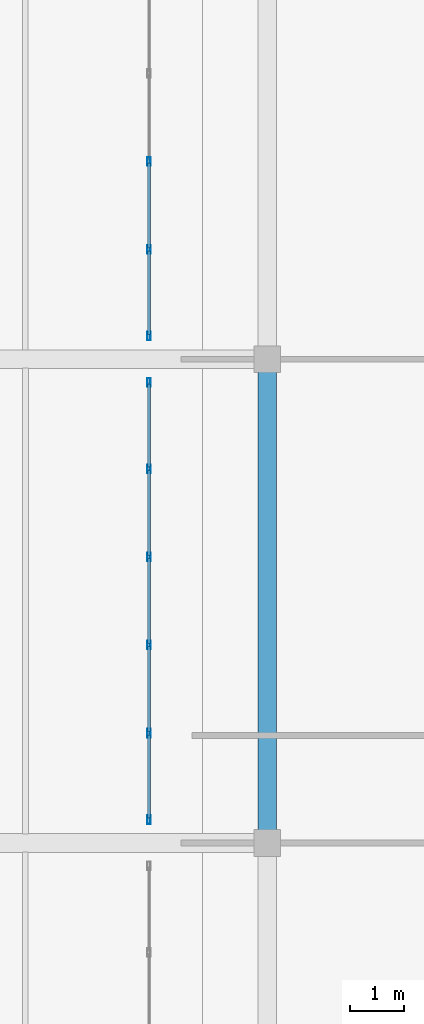
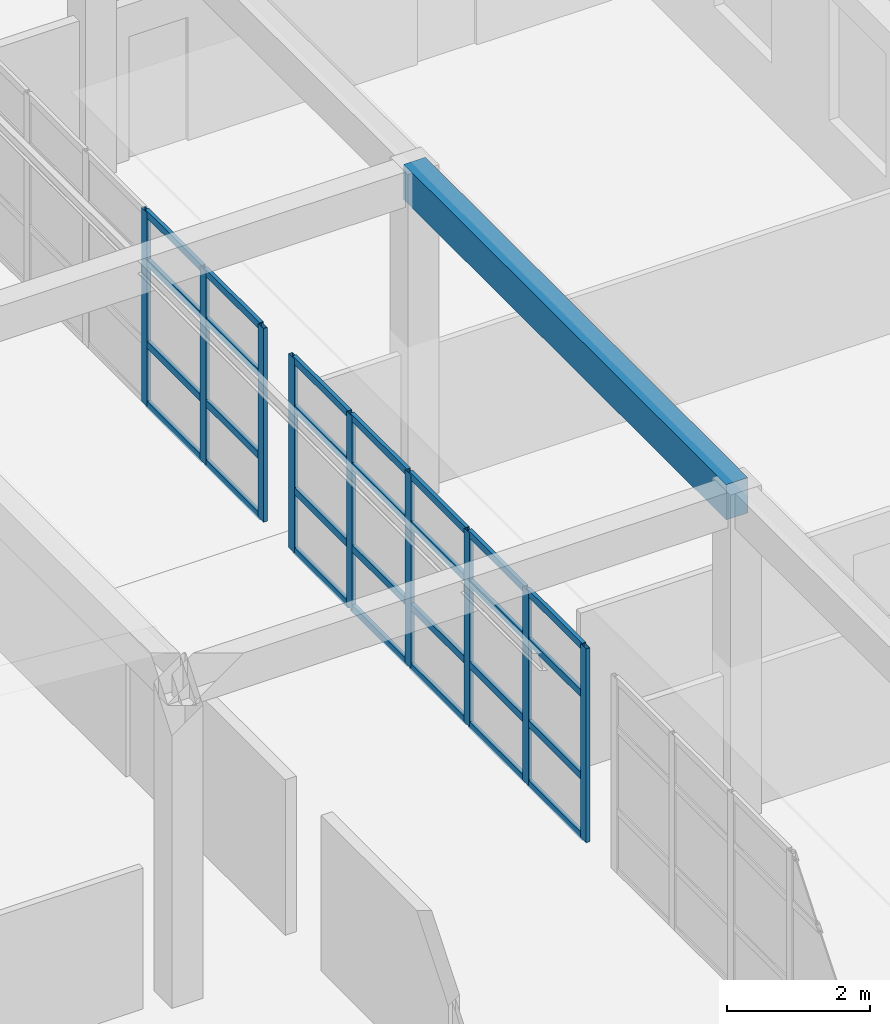
# One storey, part 42 of 156: 37 members, 1 beam, 2 elements without a shape of their own.
"""IFC4 building model written with IfcOpenShell, lengths in metres."""

from ifc_helpers import new_model, si_unit, direction, frame, origin, origin_2d, place, context, subcontext, project, spatial, rectangle, hollow_rectangle, extrude, material, layer, layer_set, material_profile, profile_set, type_object, element, aggregate, save


model = new_model("IFC4")

# Units and contexts
model_context = context("Model", 3, precision=1e-05, world=origin(), true_north=direction((0.0, 1.0)))
body_context = subcontext(model_context, "Body", "Model", "MODEL_VIEW")
ifc_project = project(units=[si_unit("LENGTHUNIT", "METRE"), si_unit("AREAUNIT", "SQUARE_METRE"), si_unit("VOLUMEUNIT", "CUBIC_METRE"), si_unit("PLANEANGLEUNIT", "RADIAN"), si_unit("MASSUNIT", "GRAM", prefix="KILO")], contexts=[model_context])

# Site, building, storey
site_placement = place(None, origin())
site = spatial("IfcSite", under=ifc_project, at=site_placement, CompositionType="ELEMENT")
building_placement = place(site_placement, origin())
building = spatial("IfcBuilding", under=site, at=building_placement, Name="Ornek Quay Market", CompositionType="ELEMENT")
storey_placement = place(building_placement, frame((0.0, 0.0, 4.5)))
storey = spatial("IfcBuildingStorey", under=building, at=storey_placement, Name="L01", CompositionType="ELEMENT", Elevation=4.5)

# Beam
ifc_material_1 = material(Name="Concrete C35/45", Category="concrete")
ifc_material_profile_1 = material_profile(ifc_material_1, rectangle(XDim=0.35009765625, YDim=0.60009765625, at=origin_2d()), Name="RC 350x600", Category="concrete")
ifc_profile_set_1 = profile_set([ifc_material_profile_1], Name="Concrete C35/45")
beam_type = type_object("IfcBeamType", Name="BM-RF-350x600", PredefinedType="BEAM", material=ifc_profile_set_1)
beam_placement = place(storey_placement, frame((18.0, 74.0, 5.2900390625), z_axis=(0.0, 1.0, 0.0), x_axis=(-1.0, 0.0, 0.0)))
element("IfcBeam", 1, at=beam_placement, inside=storey, type_object=beam_type, Name="Primary beam B-RF1-019", PredefinedType="BEAM", context=body_context, shape_type="SweptSolid", body=[
    extrude(rectangle(XDim=0.35009765625, YDim=0.60009765625, at=origin_2d()), origin(), (0.0, 0.0, 1.0), 9.0),
])

# Curtain wall, members
ifc_material_2 = material(Name="Anodised bronze aluminium and triple low-e glass", Category="aluminium")
ifc_layer = layer(ifc_material_2, 0.179931640625, Name="Anodised bronze aluminium and triple low-e glass", Category="aluminium")
ifc_layer_set = layer_set([ifc_layer], Name="Anodised bronze aluminium and triple low-e glass")
curtain_wall_type = type_object("IfcCurtainWallType", Name="CW-CONC-MOD1500", PredefinedType="USERDEFINED", material=ifc_layer_set)
curtain_wall_1_placement = place(storey_placement, origin())
curtain_wall_1 = element("IfcCurtainWall", 2, at=curtain_wall_1_placement, inside=storey, type_object=curtain_wall_type, Name="Curtain wall CW-143", ObjectType="CURTAIN WALL", PredefinedType="USERDEFINED")
ifc_material_3 = material(Name="Anodised aluminium 6063-T6", Category="aluminium")
ifc_material_profile_2 = material_profile(ifc_material_3, hollow_rectangle(XDim=0.06005859375, YDim=0.159912109375, WallThickness=0.00390625, at=origin_2d()), Name="CW-MUL-60x160", Category="aluminium")
ifc_profile_set_2 = profile_set([ifc_material_profile_2], Name="Anodised aluminium 6063-T6")
member_type_1 = type_object("IfcMemberType", Name="CW-MUL-60x160", PredefinedType="MULLION", material=ifc_profile_set_2)
member_1_placement = place(storey_placement, frame((15.800048828125, 74.429931640625, 0.0), z_axis=(0.0, 0.0, 1.0), x_axis=(-1.0, 0.0, 0.0)))
member_1 = element("IfcMember", 3, at=member_1_placement, type_object=member_type_1, Name="CW-143 mullion 1", PredefinedType="MULLION", context=body_context, shape_type="SweptSolid", body=[
    extrude(hollow_rectangle(XDim=0.06005859375, YDim=0.159912109375, WallThickness=0.00390625, at=origin_2d()), origin(), (0.0, 0.0, 1.0), 3.300048828125),
])
member_2_placement = place(storey_placement, frame((15.800048828125, 76.0400390625, 0.0), z_axis=(0.0, 0.0, 1.0), x_axis=(-1.0, 0.0, 0.0)))
member_2 = element("IfcMember", 4, at=member_2_placement, type_object=member_type_1, Name="CW-143 mullion 2", PredefinedType="MULLION", context=body_context, shape_type="SweptSolid", body=[
    extrude(hollow_rectangle(XDim=0.06005859375, YDim=0.159912109375, WallThickness=0.00390625, at=origin_2d()), origin(), (0.0, 0.0, 1.0), 3.300048828125),
])
member_3_placement = place(storey_placement, frame((15.800048828125, 77.679931640625, 0.0), z_axis=(0.0, 0.0, 1.0), x_axis=(-1.0, 0.0, 0.0)))
member_3 = element("IfcMember", 5, at=member_3_placement, type_object=member_type_1, Name="CW-143 mullion 3", PredefinedType="MULLION", context=body_context, shape_type="SweptSolid", body=[
    extrude(hollow_rectangle(XDim=0.06005859375, YDim=0.159912109375, WallThickness=0.00390625, at=origin_2d()), origin(), (0.0, 0.0, 1.0), 3.300048828125),
])
member_4_placement = place(storey_placement, frame((15.800048828125, 79.320068359375, 0.0), z_axis=(0.0, 0.0, 1.0), x_axis=(-1.0, 0.0, 0.0)))
member_4 = element("IfcMember", 6, at=member_4_placement, type_object=member_type_1, Name="CW-143 mullion 4", PredefinedType="MULLION", context=body_context, shape_type="SweptSolid", body=[
    extrude(hollow_rectangle(XDim=0.06005859375, YDim=0.159912109375, WallThickness=0.00390625, at=origin_2d()), origin(), (0.0, 0.0, 1.0), 3.300048828125),
])
member_5_placement = place(storey_placement, frame((15.800048828125, 80.9599609375, 0.0), z_axis=(0.0, 0.0, 1.0), x_axis=(-1.0, 0.0, 0.0)))
member_5 = element("IfcMember", 7, at=member_5_placement, type_object=member_type_1, Name="CW-143 mullion 5", PredefinedType="MULLION", context=body_context, shape_type="SweptSolid", body=[
    extrude(hollow_rectangle(XDim=0.06005859375, YDim=0.159912109375, WallThickness=0.00390625, at=origin_2d()), origin(), (0.0, 0.0, 1.0), 3.300048828125),
])
member_6_placement = place(storey_placement, frame((15.800048828125, 82.570068359375, 0.0), z_axis=(0.0, 0.0, 1.0), x_axis=(-1.0, 0.0, 0.0)))
member_6 = element("IfcMember", 8, at=member_6_placement, type_object=member_type_1, Name="CW-143 mullion 6", PredefinedType="MULLION", context=body_context, shape_type="SweptSolid", body=[
    extrude(hollow_rectangle(XDim=0.06005859375, YDim=0.159912109375, WallThickness=0.00390625, at=origin_2d()), origin(), (0.0, 0.0, 1.0), 3.300048828125),
])

curtain_wall_2_placement = place(storey_placement, origin())
curtain_wall_2 = element("IfcCurtainWall", 9, at=curtain_wall_2_placement, inside=storey, type_object=curtain_wall_type, Name="Curtain wall CW-145", ObjectType="CURTAIN WALL", PredefinedType="USERDEFINED")
member_7_placement = place(storey_placement, frame((15.800048828125, 83.429931640625, 0.0), z_axis=(0.0, 0.0, 1.0), x_axis=(-1.0, 0.0, 0.0)))
member_7 = element("IfcMember", 10, at=member_7_placement, type_object=member_type_1, Name="CW-145 mullion 1", PredefinedType="MULLION", context=body_context, shape_type="SweptSolid", body=[
    extrude(hollow_rectangle(XDim=0.06005859375, YDim=0.159912109375, WallThickness=0.00390625, at=origin_2d()), origin(), (0.0, 0.0, 1.0), 3.300048828125),
])
member_8_placement = place(storey_placement, frame((15.800048828125, 85.0400390625, 0.0), z_axis=(0.0, 0.0, 1.0), x_axis=(-1.0, 0.0, 0.0)))
member_8 = element("IfcMember", 11, at=member_8_placement, type_object=member_type_1, Name="CW-145 mullion 2", PredefinedType="MULLION", context=body_context, shape_type="SweptSolid", body=[
    extrude(hollow_rectangle(XDim=0.06005859375, YDim=0.159912109375, WallThickness=0.00390625, at=origin_2d()), origin(), (0.0, 0.0, 1.0), 3.300048828125),
])
member_9_placement = place(storey_placement, frame((15.800048828125, 86.679931640625, 0.0), z_axis=(0.0, 0.0, 1.0), x_axis=(-1.0, 0.0, 0.0)))
member_9 = element("IfcMember", 12, at=member_9_placement, type_object=member_type_1, Name="CW-145 mullion 3", PredefinedType="MULLION", context=body_context, shape_type="SweptSolid", body=[
    extrude(hollow_rectangle(XDim=0.06005859375, YDim=0.159912109375, WallThickness=0.00390625, at=origin_2d()), origin(), (0.0, 0.0, 1.0), 3.300048828125),
])

# Member
ifc_material_profile_3 = material_profile(ifc_material_3, hollow_rectangle(XDim=0.06005859375, YDim=0.1201171875, WallThickness=0.00390625, at=origin_2d()), Name="CW-TRN-60x120", Category="aluminium")
ifc_profile_set_3 = profile_set([ifc_material_profile_3], Name="Anodised aluminium 6063-T6")
member_type_2 = type_object("IfcMemberType", Name="CW-TRN-60x120", PredefinedType="USERDEFINED", material=ifc_profile_set_3)
member_10_placement = place(storey_placement, frame((15.800048828125, 74.4599609375, 0.030029296875), z_axis=(0.0, 1.0, 0.0), x_axis=(-1.0, 0.0, 0.0)))
member_10 = element("IfcMember", 13, at=member_10_placement, type_object=member_type_2, Name="CW-143 transom 1.1", ObjectType="TRANSOM", PredefinedType="USERDEFINED", context=body_context, shape_type="SweptSolid", body=[
    extrude(hollow_rectangle(XDim=0.06005859375, YDim=0.1201171875, WallThickness=0.00390625, at=origin_2d()), origin(), (0.0, 0.0, 1.0), 1.550048828125),
])

member_11_placement = place(storey_placement, frame((15.800048828125, 74.4599609375, 1.050048828125), z_axis=(0.0, 1.0, 0.0), x_axis=(-1.0, 0.0, 0.0)))
member_11 = element("IfcMember", 14, at=member_11_placement, type_object=member_type_2, Name="CW-143 transom 1.2", ObjectType="TRANSOM", PredefinedType="USERDEFINED", context=body_context, shape_type="SweptSolid", body=[
    extrude(hollow_rectangle(XDim=0.06005859375, YDim=0.1201171875, WallThickness=0.00390625, at=origin_2d()), origin(), (0.0, 0.0, 1.0), 1.550048828125),
])

member_12_placement = place(storey_placement, frame((15.800048828125, 74.4599609375, 2.449951171875), z_axis=(0.0, 1.0, 0.0), x_axis=(-1.0, 0.0, 0.0)))
member_12 = element("IfcMember", 15, at=member_12_placement, type_object=member_type_2, Name="CW-143 transom 1.3", ObjectType="TRANSOM", PredefinedType="USERDEFINED", context=body_context, shape_type="SweptSolid", body=[
    extrude(hollow_rectangle(XDim=0.06005859375, YDim=0.1201171875, WallThickness=0.00390625, at=origin_2d()), origin(), (0.0, 0.0, 1.0), 1.550048828125),
])

member_13_placement = place(storey_placement, frame((15.800048828125, 74.4599609375, 3.27001953125), z_axis=(0.0, 1.0, 0.0), x_axis=(-1.0, 0.0, 0.0)))
member_13 = element("IfcMember", 16, at=member_13_placement, type_object=member_type_2, Name="CW-143 transom 1.4", ObjectType="TRANSOM", PredefinedType="USERDEFINED", context=body_context, shape_type="SweptSolid", body=[
    extrude(hollow_rectangle(XDim=0.06005859375, YDim=0.1201171875, WallThickness=0.00390625, at=origin_2d()), origin(), (0.0, 0.0, 1.0), 1.550048828125),
])

member_14_placement = place(storey_placement, frame((15.800048828125, 76.070068359375, 0.030029296875), z_axis=(0.0, 1.0, 0.0), x_axis=(-1.0, 0.0, 0.0)))
member_14 = element("IfcMember", 17, at=member_14_placement, type_object=member_type_2, Name="CW-143 transom 2.1", ObjectType="TRANSOM", PredefinedType="USERDEFINED", context=body_context, shape_type="SweptSolid", body=[
    extrude(hollow_rectangle(XDim=0.06005859375, YDim=0.1201171875, WallThickness=0.00390625, at=origin_2d()), origin(), (0.0, 0.0, 1.0), 1.579833984375),
])

member_15_placement = place(storey_placement, frame((15.800048828125, 76.070068359375, 1.050048828125), z_axis=(0.0, 1.0, 0.0), x_axis=(-1.0, 0.0, 0.0)))
member_15 = element("IfcMember", 18, at=member_15_placement, type_object=member_type_2, Name="CW-143 transom 2.2", ObjectType="TRANSOM", PredefinedType="USERDEFINED", context=body_context, shape_type="SweptSolid", body=[
    extrude(hollow_rectangle(XDim=0.06005859375, YDim=0.1201171875, WallThickness=0.00390625, at=origin_2d()), origin(), (0.0, 0.0, 1.0), 1.579833984375),
])

member_16_placement = place(storey_placement, frame((15.800048828125, 76.070068359375, 2.449951171875), z_axis=(0.0, 1.0, 0.0), x_axis=(-1.0, 0.0, 0.0)))
member_16 = element("IfcMember", 19, at=member_16_placement, type_object=member_type_2, Name="CW-143 transom 2.3", ObjectType="TRANSOM", PredefinedType="USERDEFINED", context=body_context, shape_type="SweptSolid", body=[
    extrude(hollow_rectangle(XDim=0.06005859375, YDim=0.1201171875, WallThickness=0.00390625, at=origin_2d()), origin(), (0.0, 0.0, 1.0), 1.579833984375),
])

member_17_placement = place(storey_placement, frame((15.800048828125, 76.070068359375, 3.27001953125), z_axis=(0.0, 1.0, 0.0), x_axis=(-1.0, 0.0, 0.0)))
member_17 = element("IfcMember", 20, at=member_17_placement, type_object=member_type_2, Name="CW-143 transom 2.4", ObjectType="TRANSOM", PredefinedType="USERDEFINED", context=body_context, shape_type="SweptSolid", body=[
    extrude(hollow_rectangle(XDim=0.06005859375, YDim=0.1201171875, WallThickness=0.00390625, at=origin_2d()), origin(), (0.0, 0.0, 1.0), 1.579833984375),
])

member_18_placement = place(storey_placement, frame((15.800048828125, 77.7099609375, 0.030029296875), z_axis=(0.0, 1.0, 0.0), x_axis=(-1.0, 0.0, 0.0)))
member_18 = element("IfcMember", 21, at=member_18_placement, type_object=member_type_2, Name="CW-143 transom 3.1", ObjectType="TRANSOM", PredefinedType="USERDEFINED", context=body_context, shape_type="SweptSolid", body=[
    extrude(hollow_rectangle(XDim=0.06005859375, YDim=0.1201171875, WallThickness=0.00390625, at=origin_2d()), origin(), (0.0, 0.0, 1.0), 1.580078125),
])

member_19_placement = place(storey_placement, frame((15.800048828125, 77.7099609375, 1.050048828125), z_axis=(0.0, 1.0, 0.0), x_axis=(-1.0, 0.0, 0.0)))
member_19 = element("IfcMember", 22, at=member_19_placement, type_object=member_type_2, Name="CW-143 transom 3.2", ObjectType="TRANSOM", PredefinedType="USERDEFINED", context=body_context, shape_type="SweptSolid", body=[
    extrude(hollow_rectangle(XDim=0.06005859375, YDim=0.1201171875, WallThickness=0.00390625, at=origin_2d()), origin(), (0.0, 0.0, 1.0), 1.580078125),
])

member_20_placement = place(storey_placement, frame((15.800048828125, 77.7099609375, 2.449951171875), z_axis=(0.0, 1.0, 0.0), x_axis=(-1.0, 0.0, 0.0)))
member_20 = element("IfcMember", 23, at=member_20_placement, type_object=member_type_2, Name="CW-143 transom 3.3", ObjectType="TRANSOM", PredefinedType="USERDEFINED", context=body_context, shape_type="SweptSolid", body=[
    extrude(hollow_rectangle(XDim=0.06005859375, YDim=0.1201171875, WallThickness=0.00390625, at=origin_2d()), origin(), (0.0, 0.0, 1.0), 1.580078125),
])

member_21_placement = place(storey_placement, frame((15.800048828125, 77.7099609375, 3.27001953125), z_axis=(0.0, 1.0, 0.0), x_axis=(-1.0, 0.0, 0.0)))
member_21 = element("IfcMember", 24, at=member_21_placement, type_object=member_type_2, Name="CW-143 transom 3.4", ObjectType="TRANSOM", PredefinedType="USERDEFINED", context=body_context, shape_type="SweptSolid", body=[
    extrude(hollow_rectangle(XDim=0.06005859375, YDim=0.1201171875, WallThickness=0.00390625, at=origin_2d()), origin(), (0.0, 0.0, 1.0), 1.580078125),
])

member_22_placement = place(storey_placement, frame((15.800048828125, 79.35009765625, 0.030029296875), z_axis=(0.0, 1.0, 0.0), x_axis=(-1.0, 0.0, 0.0)))
member_22 = element("IfcMember", 25, at=member_22_placement, type_object=member_type_2, Name="CW-143 transom 4.1", ObjectType="TRANSOM", PredefinedType="USERDEFINED", context=body_context, shape_type="SweptSolid", body=[
    extrude(hollow_rectangle(XDim=0.06005859375, YDim=0.1201171875, WallThickness=0.00390625, at=origin_2d()), origin(), (0.0, 0.0, 1.0), 1.579833984375),
])

member_23_placement = place(storey_placement, frame((15.800048828125, 79.35009765625, 1.050048828125), z_axis=(0.0, 1.0, 0.0), x_axis=(-1.0, 0.0, 0.0)))
member_23 = element("IfcMember", 26, at=member_23_placement, type_object=member_type_2, Name="CW-143 transom 4.2", ObjectType="TRANSOM", PredefinedType="USERDEFINED", context=body_context, shape_type="SweptSolid", body=[
    extrude(hollow_rectangle(XDim=0.06005859375, YDim=0.1201171875, WallThickness=0.00390625, at=origin_2d()), origin(), (0.0, 0.0, 1.0), 1.579833984375),
])

member_24_placement = place(storey_placement, frame((15.800048828125, 79.35009765625, 2.449951171875), z_axis=(0.0, 1.0, 0.0), x_axis=(-1.0, 0.0, 0.0)))
member_24 = element("IfcMember", 27, at=member_24_placement, type_object=member_type_2, Name="CW-143 transom 4.3", ObjectType="TRANSOM", PredefinedType="USERDEFINED", context=body_context, shape_type="SweptSolid", body=[
    extrude(hollow_rectangle(XDim=0.06005859375, YDim=0.1201171875, WallThickness=0.00390625, at=origin_2d()), origin(), (0.0, 0.0, 1.0), 1.579833984375),
])

member_25_placement = place(storey_placement, frame((15.800048828125, 79.35009765625, 3.27001953125), z_axis=(0.0, 1.0, 0.0), x_axis=(-1.0, 0.0, 0.0)))
member_25 = element("IfcMember", 28, at=member_25_placement, type_object=member_type_2, Name="CW-143 transom 4.4", ObjectType="TRANSOM", PredefinedType="USERDEFINED", context=body_context, shape_type="SweptSolid", body=[
    extrude(hollow_rectangle(XDim=0.06005859375, YDim=0.1201171875, WallThickness=0.00390625, at=origin_2d()), origin(), (0.0, 0.0, 1.0), 1.579833984375),
])

member_26_placement = place(storey_placement, frame((15.800048828125, 80.989990234375, 0.030029296875), z_axis=(0.0, 1.0, 0.0), x_axis=(-1.0, 0.0, 0.0)))
member_26 = element("IfcMember", 29, at=member_26_placement, type_object=member_type_2, Name="CW-143 transom 5.1", ObjectType="TRANSOM", PredefinedType="USERDEFINED", context=body_context, shape_type="SweptSolid", body=[
    extrude(hollow_rectangle(XDim=0.06005859375, YDim=0.1201171875, WallThickness=0.00390625, at=origin_2d()), origin(), (0.0, 0.0, 1.0), 1.550048828125),
])

member_27_placement = place(storey_placement, frame((15.800048828125, 80.989990234375, 1.050048828125), z_axis=(0.0, 1.0, 0.0), x_axis=(-1.0, 0.0, 0.0)))
member_27 = element("IfcMember", 30, at=member_27_placement, type_object=member_type_2, Name="CW-143 transom 5.2", ObjectType="TRANSOM", PredefinedType="USERDEFINED", context=body_context, shape_type="SweptSolid", body=[
    extrude(hollow_rectangle(XDim=0.06005859375, YDim=0.1201171875, WallThickness=0.00390625, at=origin_2d()), origin(), (0.0, 0.0, 1.0), 1.550048828125),
])

member_28_placement = place(storey_placement, frame((15.800048828125, 80.989990234375, 2.449951171875), z_axis=(0.0, 1.0, 0.0), x_axis=(-1.0, 0.0, 0.0)))
member_28 = element("IfcMember", 31, at=member_28_placement, type_object=member_type_2, Name="CW-143 transom 5.3", ObjectType="TRANSOM", PredefinedType="USERDEFINED", context=body_context, shape_type="SweptSolid", body=[
    extrude(hollow_rectangle(XDim=0.06005859375, YDim=0.1201171875, WallThickness=0.00390625, at=origin_2d()), origin(), (0.0, 0.0, 1.0), 1.550048828125),
])

member_29_placement = place(storey_placement, frame((15.800048828125, 80.989990234375, 3.27001953125), z_axis=(0.0, 1.0, 0.0), x_axis=(-1.0, 0.0, 0.0)))
member_29 = element("IfcMember", 32, at=member_29_placement, type_object=member_type_2, Name="CW-143 transom 5.4", ObjectType="TRANSOM", PredefinedType="USERDEFINED", context=body_context, shape_type="SweptSolid", body=[
    extrude(hollow_rectangle(XDim=0.06005859375, YDim=0.1201171875, WallThickness=0.00390625, at=origin_2d()), origin(), (0.0, 0.0, 1.0), 1.550048828125),
])

aggregate(curtain_wall_1, [member_1, member_2, member_3, member_4, member_5, member_6, member_10, member_11, member_12, member_13, member_14, member_15, member_16, member_17, member_18, member_19, member_20, member_21, member_22, member_23, member_24, member_25, member_26, member_27, member_28, member_29])

member_30_placement = place(storey_placement, frame((15.800048828125, 83.4599609375, 0.030029296875), z_axis=(0.0, 1.0, 0.0), x_axis=(-1.0, 0.0, 0.0)))
member_30 = element("IfcMember", 33, at=member_30_placement, type_object=member_type_2, Name="CW-145 transom 1.1", ObjectType="TRANSOM", PredefinedType="USERDEFINED", context=body_context, shape_type="SweptSolid", body=[
    extrude(hollow_rectangle(XDim=0.06005859375, YDim=0.1201171875, WallThickness=0.00390625, at=origin_2d()), origin(), (0.0, 0.0, 1.0), 1.550048828125),
])

member_31_placement = place(storey_placement, frame((15.800048828125, 83.4599609375, 1.050048828125), z_axis=(0.0, 1.0, 0.0), x_axis=(-1.0, 0.0, 0.0)))
member_31 = element("IfcMember", 34, at=member_31_placement, type_object=member_type_2, Name="CW-145 transom 1.2", ObjectType="TRANSOM", PredefinedType="USERDEFINED", context=body_context, shape_type="SweptSolid", body=[
    extrude(hollow_rectangle(XDim=0.06005859375, YDim=0.1201171875, WallThickness=0.00390625, at=origin_2d()), origin(), (0.0, 0.0, 1.0), 1.550048828125),
])

member_32_placement = place(storey_placement, frame((15.800048828125, 83.4599609375, 2.449951171875), z_axis=(0.0, 1.0, 0.0), x_axis=(-1.0, 0.0, 0.0)))
member_32 = element("IfcMember", 35, at=member_32_placement, type_object=member_type_2, Name="CW-145 transom 1.3", ObjectType="TRANSOM", PredefinedType="USERDEFINED", context=body_context, shape_type="SweptSolid", body=[
    extrude(hollow_rectangle(XDim=0.06005859375, YDim=0.1201171875, WallThickness=0.00390625, at=origin_2d()), origin(), (0.0, 0.0, 1.0), 1.550048828125),
])

member_33_placement = place(storey_placement, frame((15.800048828125, 83.4599609375, 3.27001953125), z_axis=(0.0, 1.0, 0.0), x_axis=(-1.0, 0.0, 0.0)))
member_33 = element("IfcMember", 36, at=member_33_placement, type_object=member_type_2, Name="CW-145 transom 1.4", ObjectType="TRANSOM", PredefinedType="USERDEFINED", context=body_context, shape_type="SweptSolid", body=[
    extrude(hollow_rectangle(XDim=0.06005859375, YDim=0.1201171875, WallThickness=0.00390625, at=origin_2d()), origin(), (0.0, 0.0, 1.0), 1.550048828125),
])

member_34_placement = place(storey_placement, frame((15.800048828125, 85.070068359375, 0.030029296875), z_axis=(0.0, 1.0, 0.0), x_axis=(-1.0, 0.0, 0.0)))
member_34 = element("IfcMember", 37, at=member_34_placement, type_object=member_type_2, Name="CW-145 transom 2.1", ObjectType="TRANSOM", PredefinedType="USERDEFINED", context=body_context, shape_type="SweptSolid", body=[
    extrude(hollow_rectangle(XDim=0.06005859375, YDim=0.1201171875, WallThickness=0.00390625, at=origin_2d()), origin(), (0.0, 0.0, 1.0), 1.579833984375),
])

member_35_placement = place(storey_placement, frame((15.800048828125, 85.070068359375, 1.050048828125), z_axis=(0.0, 1.0, 0.0), x_axis=(-1.0, 0.0, 0.0)))
member_35 = element("IfcMember", 38, at=member_35_placement, type_object=member_type_2, Name="CW-145 transom 2.2", ObjectType="TRANSOM", PredefinedType="USERDEFINED", context=body_context, shape_type="SweptSolid", body=[
    extrude(hollow_rectangle(XDim=0.06005859375, YDim=0.1201171875, WallThickness=0.00390625, at=origin_2d()), origin(), (0.0, 0.0, 1.0), 1.579833984375),
])

member_36_placement = place(storey_placement, frame((15.800048828125, 85.070068359375, 2.449951171875), z_axis=(0.0, 1.0, 0.0), x_axis=(-1.0, 0.0, 0.0)))
member_36 = element("IfcMember", 39, at=member_36_placement, type_object=member_type_2, Name="CW-145 transom 2.3", ObjectType="TRANSOM", PredefinedType="USERDEFINED", context=body_context, shape_type="SweptSolid", body=[
    extrude(hollow_rectangle(XDim=0.06005859375, YDim=0.1201171875, WallThickness=0.00390625, at=origin_2d()), origin(), (0.0, 0.0, 1.0), 1.579833984375),
])

member_37_placement = place(storey_placement, frame((15.800048828125, 85.070068359375, 3.27001953125), z_axis=(0.0, 1.0, 0.0), x_axis=(-1.0, 0.0, 0.0)))
member_37 = element("IfcMember", 40, at=member_37_placement, type_object=member_type_2, Name="CW-145 transom 2.4", ObjectType="TRANSOM", PredefinedType="USERDEFINED", context=body_context, shape_type="SweptSolid", body=[
    extrude(hollow_rectangle(XDim=0.06005859375, YDim=0.1201171875, WallThickness=0.00390625, at=origin_2d()), origin(), (0.0, 0.0, 1.0), 1.579833984375),
])

aggregate(curtain_wall_2, [member_7, member_8, member_9, member_30, member_31, member_32, member_33, member_34, member_35, member_36, member_37])

save(model, "model.ifc")
